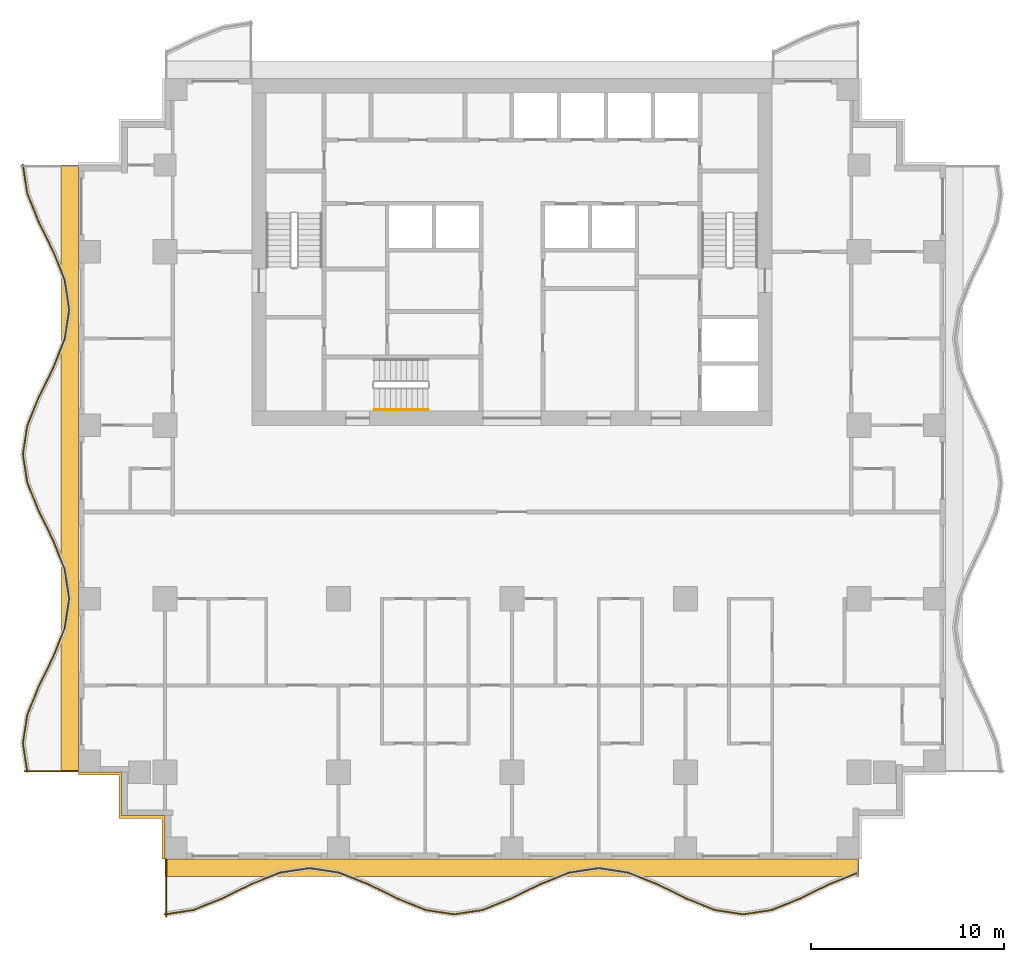
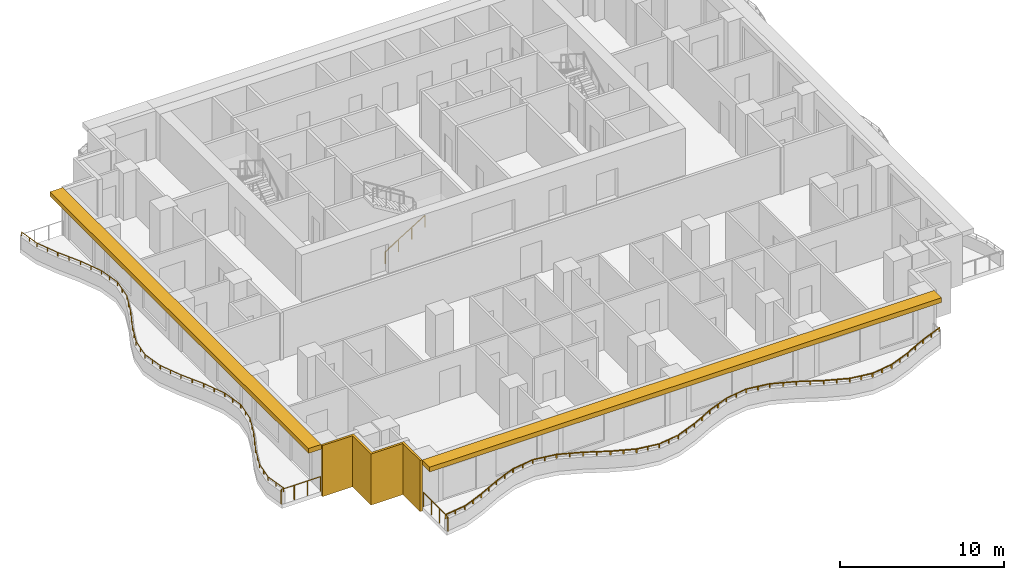
# One storey, part 7 of 10: 5 railings, 3 shading devices.
"""IFC4 building model written with IfcOpenShell, lengths in metres."""

from ifc_helpers import new_model, si_unit, direction, frame, origin, origin_2d, place, context, subcontext, project, spatial, polyline, rectangle, circle, outline, extrude, material, layer, layer_set, type_object, element, save


model = new_model("IFC4")

# Units and contexts
model_context = context("Model", 3, precision=1e-05, world=origin(), true_north=direction((0.0, 1.0)))
body_context = subcontext(model_context, "Body", "Model", "MODEL_VIEW")
ifc_project = project(units=[si_unit("LENGTHUNIT", "METRE"), si_unit("AREAUNIT", "SQUARE_METRE"), si_unit("VOLUMEUNIT", "CUBIC_METRE"), si_unit("PLANEANGLEUNIT", "RADIAN"), si_unit("MASSUNIT", "GRAM", prefix="KILO")], contexts=[model_context])

# Site, building, storey
site_placement = place(None, origin())
site = spatial("IfcSite", under=ifc_project, at=site_placement, CompositionType="ELEMENT")
building_placement = place(site_placement, origin())
building = spatial("IfcBuilding", under=site, at=building_placement, Name="Orbiselva Terraces", CompositionType="ELEMENT")
storey_placement = place(building_placement, frame((0.0, 0.0, 151.6)))
storey = spatial("IfcBuildingStorey", under=building, at=storey_placement, Name="L38", CompositionType="ELEMENT", Elevation=151.6)

# Railings
ifc_material_1 = material(Name="Stainless steel", Category="steel")
railing_type_1 = type_object("IfcRailingType", Name="CORE-HANDRAIL-900", PredefinedType="HANDRAIL", material=ifc_material_1)
railing_1_placement = place(storey_placement, frame((-7.15, 5.3, 0.172727)))
element("IfcRailing", 1, at=railing_1_placement, inside=storey, type_object=railing_type_1, Name="L38 S3 stair handrail 1", PredefinedType="HANDRAIL", context=body_context, shape_type="SweptSolid", body=[
    extrude(circle(Radius=0.024, at=origin_2d()), frame((0.0, 0.0, 0.876), z_axis=(0.851088519012, 0.0, 0.52502222125), x_axis=(0.0, 1.0, 0.0)), (0.0, 0.0, 1.0), 3.289905),
    extrude(circle(Radius=0.021, at=origin_2d()), origin(), (0.0, 0.0, 1.0), 0.852),
    extrude(circle(Radius=0.021, at=origin_2d()), frame((0.933333, 0.0, 0.575758)), (0.0, 0.0, 1.0), 0.852),
    extrude(circle(Radius=0.021, at=origin_2d()), frame((1.866667, 0.0, 1.151515)), (0.0, 0.0, 1.0), 0.852),
    extrude(circle(Radius=0.021, at=origin_2d()), frame((2.8, 0.0, 1.727273)), (0.0, 0.0, 1.0), 0.852),
])
ifc_material_2 = material(Name="Bonded two-ply safety glass balustrade, stainless steel posts", Category="steel")
railing_type_2 = type_object("IfcRailingType", Name="ENV-BALUSTRADE-1200", PredefinedType="BALUSTRADE", material=ifc_material_2)
railing_2_placement = place(storey_placement, frame((-18.018879, -20.876434, 0.9)))
element("IfcRailing", 2, at=railing_2_placement, inside=storey, type_object=railing_type_2, Name="Balcony balustrade L38 S", PredefinedType="BALUSTRADE", context=body_context, shape_type="SweptSolid", body=[
    extrude(outline(polyline([(0.028868, 0.0), (0.014434, 0.025), (-0.014434, 0.025), (-0.028868, 0.0), (-0.014434, -0.025), (0.014434, -0.025), (0.028868, 0.0)])), frame((0.0, 0.0, 0.275), z_axis=(0.988528552748, 0.151034103443, 0.0), x_axis=(-0.151034103443, 0.988528552748, 0.0)), (0.0, 0.0, 1.0), 1.503038),
    extrude(outline(polyline([(0.028868, 0.0), (0.014434, 0.025), (-0.014434, 0.025), (-0.028868, 0.0), (-0.014434, -0.025), (0.014434, -0.025), (0.028868, 0.0)])), frame((1.485796, 0.22701, 0.275), z_axis=(0.928476561272, 0.371391000387, 0.0), x_axis=(-0.371391000387, 0.928476561272, 0.0)), (0.0, 0.0, 1.0), 1.596261),
    extrude(outline(polyline([(0.028868, 0.0), (0.014434, 0.025), (-0.014434, 0.025), (-0.028868, 0.0), (-0.014434, -0.025), (0.014434, -0.025), (0.028868, 0.0)])), frame((2.967887, 0.819847, 0.275), z_axis=(0.896416672454, 0.443212307306, 0.0), x_axis=(-0.443212307306, 0.896416672454, 0.0)), (0.0, 0.0, 1.0), 1.673329),
    extrude(outline(polyline([(0.028868, 0.0), (0.014434, 0.025), (-0.014434, 0.025), (-0.028868, 0.0), (-0.014434, -0.025), (0.014434, -0.025), (0.028868, 0.0)])), frame((4.467887, 1.561487, 0.275), z_axis=(0.92847681744, 0.371390359967, 0.0), x_axis=(-0.371390359967, 0.92847681744, 0.0)), (0.0, 0.0, 1.0), 1.634838),
    extrude(outline(polyline([(0.028868, 0.0), (0.014434, 0.025), (-0.014434, 0.025), (-0.028868, 0.0), (-0.014434, -0.025), (0.014434, -0.025), (0.028868, 0.0)])), frame((5.985796, 2.16865, 0.275), z_axis=(0.988528536275, 0.151034211256, 0.0), x_axis=(-0.151034211256, 0.988528536275, 0.0)), (0.0, 0.0, 1.0), 1.550874),
    extrude(outline(polyline([(0.028868, 0.0), (0.014434, 0.025), (-0.014434, 0.025), (-0.028868, 0.0), (-0.014434, -0.025), (0.014434, -0.025), (0.028868, 0.0)])), frame((7.518879, 2.402885, 0.275), z_axis=(0.988528536275, -0.151034211256, 0.0), x_axis=(0.151034211256, 0.988528536275, 0.0)), (0.0, 0.0, 1.0), 1.550874),
    extrude(outline(polyline([(0.028868, 0.0), (0.014434, 0.025), (-0.014434, 0.025), (-0.028868, 0.0), (-0.014434, -0.025), (0.014434, -0.025), (0.028868, 0.0)])), frame((9.051962, 2.16865, 0.275), z_axis=(0.92847681744, -0.371390359967, 0.0), x_axis=(0.371390359967, 0.92847681744, 0.0)), (0.0, 0.0, 1.0), 1.634838),
    extrude(outline(polyline([(0.028868, 0.0), (0.014434, 0.025), (-0.014434, 0.025), (-0.028868, 0.0), (-0.014434, -0.025), (0.014434, -0.025), (0.028868, 0.0)])), frame((10.569871, 1.561487, 0.275), z_axis=(0.896416672454, -0.443212307306, 0.0), x_axis=(0.443212307306, 0.896416672454, 0.0)), (0.0, 0.0, 1.0), 1.673329),
    extrude(outline(polyline([(0.028868, 0.0), (0.014434, 0.025), (-0.014434, 0.025), (-0.028868, 0.0), (-0.014434, -0.025), (0.014434, -0.025), (0.028868, 0.0)])), frame((12.069871, 0.819847, 0.275), z_axis=(0.928476561272, -0.371391000387, 0.0), x_axis=(0.371391000387, 0.928476561272, 0.0)), (0.0, 0.0, 1.0), 1.596261),
    extrude(outline(polyline([(0.028868, 0.0), (0.014434, 0.025), (-0.014434, 0.025), (-0.028868, 0.0), (-0.014434, -0.025), (0.014434, -0.025), (0.028868, 0.0)])), frame((13.551962, 0.22701, 0.275), z_axis=(0.988528606898, -0.151033749027, 0.0), x_axis=(0.151033749027, 0.988528606898, 0.0)), (0.0, 0.0, 1.0), 1.48394),
    extrude(outline(polyline([(0.028868, 0.0), (0.014434, 0.025), (-0.014434, 0.025), (-0.028868, 0.0), (-0.014434, -0.025), (0.014434, -0.025), (0.028868, 0.0)])), frame((15.018879, 0.002885, 0.275), z_axis=(0.988528606898, 0.151033749027, 0.0), x_axis=(-0.151033749027, 0.988528606898, 0.0)), (0.0, 0.0, 1.0), 1.48394),
    extrude(outline(polyline([(0.028868, 0.0), (0.014434, 0.025), (-0.014434, 0.025), (-0.028868, 0.0), (-0.014434, -0.025), (0.014434, -0.025), (0.028868, 0.0)])), frame((16.485796, 0.22701, 0.275), z_axis=(0.928476561272, 0.371391000387, 0.0), x_axis=(-0.371391000387, 0.928476561272, 0.0)), (0.0, 0.0, 1.0), 1.596261),
    extrude(outline(polyline([(0.028868, 0.0), (0.014434, 0.025), (-0.014434, 0.025), (-0.028868, 0.0), (-0.014434, -0.025), (0.014434, -0.025), (0.028868, 0.0)])), frame((17.967887, 0.819847, 0.275), z_axis=(0.896416672454, 0.443212307306, 0.0), x_axis=(-0.443212307306, 0.896416672454, 0.0)), (0.0, 0.0, 1.0), 1.673329),
    extrude(outline(polyline([(0.028868, 0.0), (0.014434, 0.025), (-0.014434, 0.025), (-0.028868, 0.0), (-0.014434, -0.025), (0.014434, -0.025), (0.028868, 0.0)])), frame((19.467887, 1.561487, 0.275), z_axis=(0.92847681744, 0.371390359967, 0.0), x_axis=(-0.371390359967, 0.92847681744, 0.0)), (0.0, 0.0, 1.0), 1.634838),
    extrude(outline(polyline([(0.028868, 0.0), (0.014434, 0.025), (-0.014434, 0.025), (-0.028868, 0.0), (-0.014434, -0.025), (0.014434, -0.025), (0.028868, 0.0)])), frame((20.985796, 2.16865, 0.275), z_axis=(0.988528536275, 0.151034211256, 0.0), x_axis=(-0.151034211256, 0.988528536275, 0.0)), (0.0, 0.0, 1.0), 1.550874),
    extrude(outline(polyline([(0.028868, 0.0), (0.014434, 0.025), (-0.014434, 0.025), (-0.028868, 0.0), (-0.014434, -0.025), (0.014434, -0.025), (0.028868, 0.0)])), frame((22.518879, 2.402885, 0.275), z_axis=(0.988528536275, -0.151034211256, 0.0), x_axis=(0.151034211256, 0.988528536275, 0.0)), (0.0, 0.0, 1.0), 1.550874),
    extrude(outline(polyline([(0.028868, 0.0), (0.014434, 0.025), (-0.014434, 0.025), (-0.028868, 0.0), (-0.014434, -0.025), (0.014434, -0.025), (0.028868, 0.0)])), frame((24.051962, 2.16865, 0.275), z_axis=(0.92847681744, -0.371390359967, 0.0), x_axis=(0.371390359967, 0.92847681744, 0.0)), (0.0, 0.0, 1.0), 1.634838),
    extrude(outline(polyline([(0.028868, 0.0), (0.014434, 0.025), (-0.014434, 0.025), (-0.028868, 0.0), (-0.014434, -0.025), (0.014434, -0.025), (0.028868, 0.0)])), frame((25.569871, 1.561487, 0.275), z_axis=(0.896416672454, -0.443212307306, 0.0), x_axis=(0.443212307306, 0.896416672454, 0.0)), (0.0, 0.0, 1.0), 1.673329),
    extrude(outline(polyline([(0.028868, 0.0), (0.014434, 0.025), (-0.014434, 0.025), (-0.028868, 0.0), (-0.014434, -0.025), (0.014434, -0.025), (0.028868, 0.0)])), frame((27.069871, 0.819847, 0.275), z_axis=(0.928476561272, -0.371391000387, 0.0), x_axis=(0.371391000387, 0.928476561272, 0.0)), (0.0, 0.0, 1.0), 1.596261),
    extrude(outline(polyline([(0.028868, 0.0), (0.014434, 0.025), (-0.014434, 0.025), (-0.028868, 0.0), (-0.014434, -0.025), (0.014434, -0.025), (0.028868, 0.0)])), frame((28.551962, 0.22701, 0.275), z_axis=(0.988528606898, -0.151033749027, 0.0), x_axis=(0.151033749027, 0.988528606898, 0.0)), (0.0, 0.0, 1.0), 1.48394),
    extrude(outline(polyline([(0.028868, 0.0), (0.014434, 0.025), (-0.014434, 0.025), (-0.028868, 0.0), (-0.014434, -0.025), (0.014434, -0.025), (0.028868, 0.0)])), frame((30.018879, 0.002885, 0.275), z_axis=(0.988528606898, 0.151033749027, 0.0), x_axis=(-0.151033749027, 0.988528606898, 0.0)), (0.0, 0.0, 1.0), 1.48394),
    extrude(outline(polyline([(0.028868, 0.0), (0.014434, 0.025), (-0.014434, 0.025), (-0.028868, 0.0), (-0.014434, -0.025), (0.014434, -0.025), (0.028868, 0.0)])), frame((31.485796, 0.22701, 0.275), z_axis=(0.928476561272, 0.371391000387, 0.0), x_axis=(-0.371391000387, 0.928476561272, 0.0)), (0.0, 0.0, 1.0), 1.596261),
    extrude(outline(polyline([(0.028868, 0.0), (0.014434, 0.025), (-0.014434, 0.025), (-0.028868, 0.0), (-0.014434, -0.025), (0.014434, -0.025), (0.028868, 0.0)])), frame((32.967887, 0.819847, 0.275), z_axis=(0.896416672454, 0.443212307306, 0.0), x_axis=(-0.443212307306, 0.896416672454, 0.0)), (0.0, 0.0, 1.0), 1.673329),
    extrude(outline(polyline([(0.028868, 0.0), (0.014434, 0.025), (-0.014434, 0.025), (-0.028868, 0.0), (-0.014434, -0.025), (0.014434, -0.025), (0.028868, 0.0)])), frame((34.467887, 1.561487, 0.275), z_axis=(0.928476733444, 0.371390569957, 0.0), x_axis=(-0.371390569957, 0.928476733444, 0.0)), (0.0, 0.0, 1.0), 1.620469),
    extrude(rectangle(XDim=0.05, YDim=0.05, at=origin_2d()), origin(), (0.0, 0.0, 1.0), 0.25),
    extrude(rectangle(XDim=0.05, YDim=0.05, at=origin_2d()), frame((0.742898, 0.113505, 0.0)), (0.0, 0.0, 1.0), 0.25),
    extrude(rectangle(XDim=0.05, YDim=0.05, at=origin_2d()), frame((1.485796, 0.22701, 0.0)), (0.0, 0.0, 1.0), 0.25),
    extrude(rectangle(XDim=0.05, YDim=0.05, at=origin_2d()), frame((2.226841, 0.523428, 0.0)), (0.0, 0.0, 1.0), 0.25),
    extrude(rectangle(XDim=0.05, YDim=0.05, at=origin_2d()), frame((2.967887, 0.819847, 0.0)), (0.0, 0.0, 1.0), 0.25),
    extrude(rectangle(XDim=0.05, YDim=0.05, at=origin_2d()), frame((3.717887, 1.190667, 0.0)), (0.0, 0.0, 1.0), 0.25),
    extrude(rectangle(XDim=0.05, YDim=0.05, at=origin_2d()), frame((4.467887, 1.561487, 0.0)), (0.0, 0.0, 1.0), 0.25),
    extrude(rectangle(XDim=0.05, YDim=0.05, at=origin_2d()), frame((5.226841, 1.865068, 0.0)), (0.0, 0.0, 1.0), 0.25),
    extrude(rectangle(XDim=0.05, YDim=0.05, at=origin_2d()), frame((5.985796, 2.16865, 0.0)), (0.0, 0.0, 1.0), 0.25),
    extrude(rectangle(XDim=0.05, YDim=0.05, at=origin_2d()), frame((6.752337, 2.285768, 0.0)), (0.0, 0.0, 1.0), 0.25),
    extrude(rectangle(XDim=0.05, YDim=0.05, at=origin_2d()), frame((7.518879, 2.402885, 0.0)), (0.0, 0.0, 1.0), 0.25),
    extrude(rectangle(XDim=0.05, YDim=0.05, at=origin_2d()), frame((8.28542, 2.285768, 0.0)), (0.0, 0.0, 1.0), 0.25),
    extrude(rectangle(XDim=0.05, YDim=0.05, at=origin_2d()), frame((9.051962, 2.16865, 0.0)), (0.0, 0.0, 1.0), 0.25),
    extrude(rectangle(XDim=0.05, YDim=0.05, at=origin_2d()), frame((9.810916, 1.865068, 0.0)), (0.0, 0.0, 1.0), 0.25),
    extrude(rectangle(XDim=0.05, YDim=0.05, at=origin_2d()), frame((10.569871, 1.561487, 0.0)), (0.0, 0.0, 1.0), 0.25),
    extrude(rectangle(XDim=0.05, YDim=0.05, at=origin_2d()), frame((11.319871, 1.190667, 0.0)), (0.0, 0.0, 1.0), 0.25),
    extrude(rectangle(XDim=0.05, YDim=0.05, at=origin_2d()), frame((12.069871, 0.819847, 0.0)), (0.0, 0.0, 1.0), 0.25),
    extrude(rectangle(XDim=0.05, YDim=0.05, at=origin_2d()), frame((12.810916, 0.523428, 0.0)), (0.0, 0.0, 1.0), 0.25),
    extrude(rectangle(XDim=0.05, YDim=0.05, at=origin_2d()), frame((13.551962, 0.22701, 0.0)), (0.0, 0.0, 1.0), 0.25),
    extrude(rectangle(XDim=0.05, YDim=0.05, at=origin_2d()), frame((14.28542, 0.114947, 0.0)), (0.0, 0.0, 1.0), 0.25),
    extrude(rectangle(XDim=0.05, YDim=0.05, at=origin_2d()), frame((15.018879, 0.002885, 0.0)), (0.0, 0.0, 1.0), 0.25),
    extrude(rectangle(XDim=0.05, YDim=0.05, at=origin_2d()), frame((15.752337, 0.114947, 0.0)), (0.0, 0.0, 1.0), 0.25),
    extrude(rectangle(XDim=0.05, YDim=0.05, at=origin_2d()), frame((16.485796, 0.22701, 0.0)), (0.0, 0.0, 1.0), 0.25),
    extrude(rectangle(XDim=0.05, YDim=0.05, at=origin_2d()), frame((17.226842, 0.523428, 0.0)), (0.0, 0.0, 1.0), 0.25),
    extrude(rectangle(XDim=0.05, YDim=0.05, at=origin_2d()), frame((17.967887, 0.819847, 0.0)), (0.0, 0.0, 1.0), 0.25),
    extrude(rectangle(XDim=0.05, YDim=0.05, at=origin_2d()), frame((18.717887, 1.190667, 0.0)), (0.0, 0.0, 1.0), 0.25),
    extrude(rectangle(XDim=0.05, YDim=0.05, at=origin_2d()), frame((19.467887, 1.561487, 0.0)), (0.0, 0.0, 1.0), 0.25),
    extrude(rectangle(XDim=0.05, YDim=0.05, at=origin_2d()), frame((20.226842, 1.865068, 0.0)), (0.0, 0.0, 1.0), 0.25),
    extrude(rectangle(XDim=0.05, YDim=0.05, at=origin_2d()), frame((20.985796, 2.16865, 0.0)), (0.0, 0.0, 1.0), 0.25),
    extrude(rectangle(XDim=0.05, YDim=0.05, at=origin_2d()), frame((21.752337, 2.285768, 0.0)), (0.0, 0.0, 1.0), 0.25),
    extrude(rectangle(XDim=0.05, YDim=0.05, at=origin_2d()), frame((22.518879, 2.402885, 0.0)), (0.0, 0.0, 1.0), 0.25),
    extrude(rectangle(XDim=0.05, YDim=0.05, at=origin_2d()), frame((23.28542, 2.285768, 0.0)), (0.0, 0.0, 1.0), 0.25),
    extrude(rectangle(XDim=0.05, YDim=0.05, at=origin_2d()), frame((24.051962, 2.16865, 0.0)), (0.0, 0.0, 1.0), 0.25),
    extrude(rectangle(XDim=0.05, YDim=0.05, at=origin_2d()), frame((24.810916, 1.865068, 0.0)), (0.0, 0.0, 1.0), 0.25),
    extrude(rectangle(XDim=0.05, YDim=0.05, at=origin_2d()), frame((25.569871, 1.561487, 0.0)), (0.0, 0.0, 1.0), 0.25),
    extrude(rectangle(XDim=0.05, YDim=0.05, at=origin_2d()), frame((26.319871, 1.190667, 0.0)), (0.0, 0.0, 1.0), 0.25),
    extrude(rectangle(XDim=0.05, YDim=0.05, at=origin_2d()), frame((27.069871, 0.819847, 0.0)), (0.0, 0.0, 1.0), 0.25),
    extrude(rectangle(XDim=0.05, YDim=0.05, at=origin_2d()), frame((27.810916, 0.523428, 0.0)), (0.0, 0.0, 1.0), 0.25),
    extrude(rectangle(XDim=0.05, YDim=0.05, at=origin_2d()), frame((28.551962, 0.22701, 0.0)), (0.0, 0.0, 1.0), 0.25),
    extrude(rectangle(XDim=0.05, YDim=0.05, at=origin_2d()), frame((29.28542, 0.114947, 0.0)), (0.0, 0.0, 1.0), 0.25),
    extrude(rectangle(XDim=0.05, YDim=0.05, at=origin_2d()), frame((30.018879, 0.002885, 0.0)), (0.0, 0.0, 1.0), 0.25),
    extrude(rectangle(XDim=0.05, YDim=0.05, at=origin_2d()), frame((30.752338, 0.114947, 0.0)), (0.0, 0.0, 1.0), 0.25),
    extrude(rectangle(XDim=0.05, YDim=0.05, at=origin_2d()), frame((31.485796, 0.22701, 0.0)), (0.0, 0.0, 1.0), 0.25),
    extrude(rectangle(XDim=0.05, YDim=0.05, at=origin_2d()), frame((32.226842, 0.523428, 0.0)), (0.0, 0.0, 1.0), 0.25),
    extrude(rectangle(XDim=0.05, YDim=0.05, at=origin_2d()), frame((32.967887, 0.819847, 0.0)), (0.0, 0.0, 1.0), 0.25),
    extrude(rectangle(XDim=0.05, YDim=0.05, at=origin_2d()), frame((33.717887, 1.190667, 0.0)), (0.0, 0.0, 1.0), 0.25),
    extrude(rectangle(XDim=0.05, YDim=0.05, at=origin_2d()), frame((34.467887, 1.561487, 0.0)), (0.0, 0.0, 1.0), 0.25),
    extrude(rectangle(XDim=0.05, YDim=0.05, at=origin_2d()), frame((35.220171, 1.8624, 0.0)), (0.0, 0.0, 1.0), 0.25),
    extrude(rectangle(XDim=0.05, YDim=0.05, at=origin_2d()), frame((35.972455, 2.163314, 0.0)), (0.0, 0.0, 1.0), 0.25),
])
railing_3_placement = place(storey_placement, frame((-25.376434, 18.018879, 0.9)))
element("IfcRailing", 3, at=railing_3_placement, inside=storey, type_object=railing_type_2, Name="Balcony balustrade L38 W", PredefinedType="BALUSTRADE", context=body_context, shape_type="SweptSolid", body=[
    extrude(outline(polyline([(0.028868, 0.0), (0.014434, 0.025), (-0.014434, 0.025), (-0.028868, 0.0), (-0.014434, -0.025), (0.014434, -0.025), (0.028868, 0.0)])), frame((0.0, 0.0, 0.275), z_axis=(0.151034103443, -0.988528552748, 0.0), x_axis=(0.988528552748, 0.151034103443, 0.0)), (0.0, 0.0, 1.0), 1.503038),
    extrude(outline(polyline([(0.028868, 0.0), (0.014434, 0.025), (-0.014434, 0.025), (-0.028868, 0.0), (-0.014434, -0.025), (0.014434, -0.025), (0.028868, 0.0)])), frame((0.22701, -1.485796, 0.275), z_axis=(0.371391000387, -0.928476561272, 0.0), x_axis=(0.928476561272, 0.371391000387, 0.0)), (0.0, 0.0, 1.0), 1.596261),
    extrude(outline(polyline([(0.028868, 0.0), (0.014434, 0.025), (-0.014434, 0.025), (-0.028868, 0.0), (-0.014434, -0.025), (0.014434, -0.025), (0.028868, 0.0)])), frame((0.819847, -2.967887, 0.275), z_axis=(0.443212307306, -0.896416672454, 0.0), x_axis=(0.896416672454, 0.443212307306, 0.0)), (0.0, 0.0, 1.0), 1.673329),
    extrude(outline(polyline([(0.028868, 0.0), (0.014434, 0.025), (-0.014434, 0.025), (-0.028868, 0.0), (-0.014434, -0.025), (0.014434, -0.025), (0.028868, 0.0)])), frame((1.561487, -4.467887, 0.275), z_axis=(0.371390359967, -0.92847681744, 0.0), x_axis=(0.92847681744, 0.371390359967, 0.0)), (0.0, 0.0, 1.0), 1.634838),
    extrude(outline(polyline([(0.028868, 0.0), (0.014434, 0.025), (-0.014434, 0.025), (-0.028868, 0.0), (-0.014434, -0.025), (0.014434, -0.025), (0.028868, 0.0)])), frame((2.16865, -5.985796, 0.275), z_axis=(0.151034211256, -0.988528536275, 0.0), x_axis=(0.988528536275, 0.151034211256, 0.0)), (0.0, 0.0, 1.0), 1.550874),
    extrude(outline(polyline([(0.028868, 0.0), (0.014434, 0.025), (-0.014434, 0.025), (-0.028868, 0.0), (-0.014434, -0.025), (0.014434, -0.025), (0.028868, 0.0)])), frame((2.402885, -7.518879, 0.275), z_axis=(-0.151034211256, -0.988528536275, 0.0), x_axis=(0.988528536275, -0.151034211256, 0.0)), (0.0, 0.0, 1.0), 1.550874),
    extrude(outline(polyline([(0.028868, 0.0), (0.014434, 0.025), (-0.014434, 0.025), (-0.028868, 0.0), (-0.014434, -0.025), (0.014434, -0.025), (0.028868, 0.0)])), frame((2.16865, -9.051962, 0.275), z_axis=(-0.371390359967, -0.92847681744, 0.0), x_axis=(0.92847681744, -0.371390359967, 0.0)), (0.0, 0.0, 1.0), 1.634838),
    extrude(outline(polyline([(0.028868, 0.0), (0.014434, 0.025), (-0.014434, 0.025), (-0.028868, 0.0), (-0.014434, -0.025), (0.014434, -0.025), (0.028868, 0.0)])), frame((1.561487, -10.569871, 0.275), z_axis=(-0.443212307306, -0.896416672454, 0.0), x_axis=(0.896416672454, -0.443212307306, 0.0)), (0.0, 0.0, 1.0), 1.673329),
    extrude(outline(polyline([(0.028868, 0.0), (0.014434, 0.025), (-0.014434, 0.025), (-0.028868, 0.0), (-0.014434, -0.025), (0.014434, -0.025), (0.028868, 0.0)])), frame((0.819847, -12.069871, 0.275), z_axis=(-0.371391000387, -0.928476561272, 0.0), x_axis=(0.928476561272, -0.371391000387, 0.0)), (0.0, 0.0, 1.0), 1.596261),
    extrude(outline(polyline([(0.028868, 0.0), (0.014434, 0.025), (-0.014434, 0.025), (-0.028868, 0.0), (-0.014434, -0.025), (0.014434, -0.025), (0.028868, 0.0)])), frame((0.22701, -13.551962, 0.275), z_axis=(-0.151033749027, -0.988528606898, 0.0), x_axis=(0.988528606898, -0.151033749027, 0.0)), (0.0, 0.0, 1.0), 1.48394),
    extrude(outline(polyline([(0.028868, 0.0), (0.014434, 0.025), (-0.014434, 0.025), (-0.028868, 0.0), (-0.014434, -0.025), (0.014434, -0.025), (0.028868, 0.0)])), frame((0.002885, -15.018879, 0.275), z_axis=(0.151033749027, -0.988528606898, 0.0), x_axis=(0.988528606898, 0.151033749027, 0.0)), (0.0, 0.0, 1.0), 1.48394),
    extrude(outline(polyline([(0.028868, 0.0), (0.014434, 0.025), (-0.014434, 0.025), (-0.028868, 0.0), (-0.014434, -0.025), (0.014434, -0.025), (0.028868, 0.0)])), frame((0.22701, -16.485796, 0.275), z_axis=(0.371391000387, -0.928476561272, 0.0), x_axis=(0.928476561272, 0.371391000387, 0.0)), (0.0, 0.0, 1.0), 1.596261),
    extrude(outline(polyline([(0.028868, 0.0), (0.014434, 0.025), (-0.014434, 0.025), (-0.028868, 0.0), (-0.014434, -0.025), (0.014434, -0.025), (0.028868, 0.0)])), frame((0.819847, -17.967887, 0.275), z_axis=(0.443212307306, -0.896416672454, 0.0), x_axis=(0.896416672454, 0.443212307306, 0.0)), (0.0, 0.0, 1.0), 1.673329),
    extrude(outline(polyline([(0.028868, 0.0), (0.014434, 0.025), (-0.014434, 0.025), (-0.028868, 0.0), (-0.014434, -0.025), (0.014434, -0.025), (0.028868, 0.0)])), frame((1.561487, -19.467887, 0.275), z_axis=(0.371390359967, -0.92847681744, 0.0), x_axis=(0.92847681744, 0.371390359967, 0.0)), (0.0, 0.0, 1.0), 1.634838),
    extrude(outline(polyline([(0.028868, 0.0), (0.014434, 0.025), (-0.014434, 0.025), (-0.028868, 0.0), (-0.014434, -0.025), (0.014434, -0.025), (0.028868, 0.0)])), frame((2.16865, -20.985796, 0.275), z_axis=(0.151034211256, -0.988528536275, 0.0), x_axis=(0.988528536275, 0.151034211256, 0.0)), (0.0, 0.0, 1.0), 1.550874),
    extrude(outline(polyline([(0.028868, 0.0), (0.014434, 0.025), (-0.014434, 0.025), (-0.028868, 0.0), (-0.014434, -0.025), (0.014434, -0.025), (0.028868, 0.0)])), frame((2.402885, -22.518879, 0.275), z_axis=(-0.151034211256, -0.988528536275, 0.0), x_axis=(0.988528536275, -0.151034211256, 0.0)), (0.0, 0.0, 1.0), 1.550874),
    extrude(outline(polyline([(0.028868, 0.0), (0.014434, 0.025), (-0.014434, 0.025), (-0.028868, 0.0), (-0.014434, -0.025), (0.014434, -0.025), (0.028868, 0.0)])), frame((2.16865, -24.051962, 0.275), z_axis=(-0.371390359967, -0.92847681744, 0.0), x_axis=(0.92847681744, -0.371390359967, 0.0)), (0.0, 0.0, 1.0), 1.634838),
    extrude(outline(polyline([(0.028868, 0.0), (0.014434, 0.025), (-0.014434, 0.025), (-0.028868, 0.0), (-0.014434, -0.025), (0.014434, -0.025), (0.028868, 0.0)])), frame((1.561487, -25.569871, 0.275), z_axis=(-0.443212307306, -0.896416672454, 0.0), x_axis=(0.896416672454, -0.443212307306, 0.0)), (0.0, 0.0, 1.0), 1.673329),
    extrude(outline(polyline([(0.028868, 0.0), (0.014434, 0.025), (-0.014434, 0.025), (-0.028868, 0.0), (-0.014434, -0.025), (0.014434, -0.025), (0.028868, 0.0)])), frame((0.819847, -27.069871, 0.275), z_axis=(-0.371391000387, -0.928476561272, 0.0), x_axis=(0.928476561272, -0.371391000387, 0.0)), (0.0, 0.0, 1.0), 1.596261),
    extrude(outline(polyline([(0.028868, 0.0), (0.014434, 0.025), (-0.014434, 0.025), (-0.028868, 0.0), (-0.014434, -0.025), (0.014434, -0.025), (0.028868, 0.0)])), frame((0.22701, -28.551962, 0.275), z_axis=(-0.151033749027, -0.988528606898, 0.0), x_axis=(0.988528606898, -0.151033749027, 0.0)), (0.0, 0.0, 1.0), 1.48394),
    extrude(outline(polyline([(0.028868, 0.0), (0.014434, 0.025), (-0.014434, 0.025), (-0.028868, 0.0), (-0.014434, -0.025), (0.014434, -0.025), (0.028868, 0.0)])), frame((0.002885, -30.018879, 0.275), z_axis=(0.151033632714, -0.988528624669, 0.0), x_axis=(0.988528624669, 0.151033632714, 0.0)), (0.0, 0.0, 1.0), 1.498309),
    extrude(rectangle(XDim=0.05, YDim=0.05, at=origin_2d()), origin(), (0.0, 0.0, 1.0), 0.25),
    extrude(rectangle(XDim=0.05, YDim=0.05, at=origin_2d()), frame((0.113505, -0.742898, 0.0)), (0.0, 0.0, 1.0), 0.25),
    extrude(rectangle(XDim=0.05, YDim=0.05, at=origin_2d()), frame((0.22701, -1.485796, 0.0)), (0.0, 0.0, 1.0), 0.25),
    extrude(rectangle(XDim=0.05, YDim=0.05, at=origin_2d()), frame((0.523428, -2.226841, 0.0)), (0.0, 0.0, 1.0), 0.25),
    extrude(rectangle(XDim=0.05, YDim=0.05, at=origin_2d()), frame((0.819847, -2.967887, 0.0)), (0.0, 0.0, 1.0), 0.25),
    extrude(rectangle(XDim=0.05, YDim=0.05, at=origin_2d()), frame((1.190667, -3.717887, 0.0)), (0.0, 0.0, 1.0), 0.25),
    extrude(rectangle(XDim=0.05, YDim=0.05, at=origin_2d()), frame((1.561487, -4.467887, 0.0)), (0.0, 0.0, 1.0), 0.25),
    extrude(rectangle(XDim=0.05, YDim=0.05, at=origin_2d()), frame((1.865068, -5.226841, 0.0)), (0.0, 0.0, 1.0), 0.25),
    extrude(rectangle(XDim=0.05, YDim=0.05, at=origin_2d()), frame((2.16865, -5.985796, 0.0)), (0.0, 0.0, 1.0), 0.25),
    extrude(rectangle(XDim=0.05, YDim=0.05, at=origin_2d()), frame((2.285768, -6.752337, 0.0)), (0.0, 0.0, 1.0), 0.25),
    extrude(rectangle(XDim=0.05, YDim=0.05, at=origin_2d()), frame((2.402885, -7.518879, 0.0)), (0.0, 0.0, 1.0), 0.25),
    extrude(rectangle(XDim=0.05, YDim=0.05, at=origin_2d()), frame((2.285768, -8.28542, 0.0)), (0.0, 0.0, 1.0), 0.25),
    extrude(rectangle(XDim=0.05, YDim=0.05, at=origin_2d()), frame((2.16865, -9.051962, 0.0)), (0.0, 0.0, 1.0), 0.25),
    extrude(rectangle(XDim=0.05, YDim=0.05, at=origin_2d()), frame((1.865068, -9.810916, 0.0)), (0.0, 0.0, 1.0), 0.25),
    extrude(rectangle(XDim=0.05, YDim=0.05, at=origin_2d()), frame((1.561487, -10.569871, 0.0)), (0.0, 0.0, 1.0), 0.25),
    extrude(rectangle(XDim=0.05, YDim=0.05, at=origin_2d()), frame((1.190667, -11.319871, 0.0)), (0.0, 0.0, 1.0), 0.25),
    extrude(rectangle(XDim=0.05, YDim=0.05, at=origin_2d()), frame((0.819847, -12.069871, 0.0)), (0.0, 0.0, 1.0), 0.25),
    extrude(rectangle(XDim=0.05, YDim=0.05, at=origin_2d()), frame((0.523428, -12.810916, 0.0)), (0.0, 0.0, 1.0), 0.25),
    extrude(rectangle(XDim=0.05, YDim=0.05, at=origin_2d()), frame((0.22701, -13.551962, 0.0)), (0.0, 0.0, 1.0), 0.25),
    extrude(rectangle(XDim=0.05, YDim=0.05, at=origin_2d()), frame((0.114947, -14.28542, 0.0)), (0.0, 0.0, 1.0), 0.25),
    extrude(rectangle(XDim=0.05, YDim=0.05, at=origin_2d()), frame((0.002885, -15.018879, 0.0)), (0.0, 0.0, 1.0), 0.25),
    extrude(rectangle(XDim=0.05, YDim=0.05, at=origin_2d()), frame((0.114947, -15.752337, 0.0)), (0.0, 0.0, 1.0), 0.25),
    extrude(rectangle(XDim=0.05, YDim=0.05, at=origin_2d()), frame((0.22701, -16.485796, 0.0)), (0.0, 0.0, 1.0), 0.25),
    extrude(rectangle(XDim=0.05, YDim=0.05, at=origin_2d()), frame((0.523428, -17.226842, 0.0)), (0.0, 0.0, 1.0), 0.25),
    extrude(rectangle(XDim=0.05, YDim=0.05, at=origin_2d()), frame((0.819847, -17.967887, 0.0)), (0.0, 0.0, 1.0), 0.25),
    extrude(rectangle(XDim=0.05, YDim=0.05, at=origin_2d()), frame((1.190667, -18.717887, 0.0)), (0.0, 0.0, 1.0), 0.25),
    extrude(rectangle(XDim=0.05, YDim=0.05, at=origin_2d()), frame((1.561487, -19.467887, 0.0)), (0.0, 0.0, 1.0), 0.25),
    extrude(rectangle(XDim=0.05, YDim=0.05, at=origin_2d()), frame((1.865068, -20.226842, 0.0)), (0.0, 0.0, 1.0), 0.25),
    extrude(rectangle(XDim=0.05, YDim=0.05, at=origin_2d()), frame((2.16865, -20.985796, 0.0)), (0.0, 0.0, 1.0), 0.25),
    extrude(rectangle(XDim=0.05, YDim=0.05, at=origin_2d()), frame((2.285768, -21.752337, 0.0)), (0.0, 0.0, 1.0), 0.25),
    extrude(rectangle(XDim=0.05, YDim=0.05, at=origin_2d()), frame((2.402885, -22.518879, 0.0)), (0.0, 0.0, 1.0), 0.25),
    extrude(rectangle(XDim=0.05, YDim=0.05, at=origin_2d()), frame((2.285768, -23.28542, 0.0)), (0.0, 0.0, 1.0), 0.25),
    extrude(rectangle(XDim=0.05, YDim=0.05, at=origin_2d()), frame((2.16865, -24.051962, 0.0)), (0.0, 0.0, 1.0), 0.25),
    extrude(rectangle(XDim=0.05, YDim=0.05, at=origin_2d()), frame((1.865068, -24.810916, 0.0)), (0.0, 0.0, 1.0), 0.25),
    extrude(rectangle(XDim=0.05, YDim=0.05, at=origin_2d()), frame((1.561487, -25.569871, 0.0)), (0.0, 0.0, 1.0), 0.25),
    extrude(rectangle(XDim=0.05, YDim=0.05, at=origin_2d()), frame((1.190667, -26.319871, 0.0)), (0.0, 0.0, 1.0), 0.25),
    extrude(rectangle(XDim=0.05, YDim=0.05, at=origin_2d()), frame((0.819847, -27.069871, 0.0)), (0.0, 0.0, 1.0), 0.25),
    extrude(rectangle(XDim=0.05, YDim=0.05, at=origin_2d()), frame((0.523428, -27.810916, 0.0)), (0.0, 0.0, 1.0), 0.25),
    extrude(rectangle(XDim=0.05, YDim=0.05, at=origin_2d()), frame((0.22701, -28.551962, 0.0)), (0.0, 0.0, 1.0), 0.25),
    extrude(rectangle(XDim=0.05, YDim=0.05, at=origin_2d()), frame((0.114947, -29.28542, 0.0)), (0.0, 0.0, 1.0), 0.25),
    extrude(rectangle(XDim=0.05, YDim=0.05, at=origin_2d()), frame((0.002885, -30.018879, 0.0)), (0.0, 0.0, 1.0), 0.25),
    extrude(rectangle(XDim=0.05, YDim=0.05, at=origin_2d()), frame((0.116032, -30.75944, 0.0)), (0.0, 0.0, 1.0), 0.25),
    extrude(rectangle(XDim=0.05, YDim=0.05, at=origin_2d()), frame((0.22918, -31.5, 0.0)), (0.0, 0.0, 1.0), 0.25),
])
ifc_material_3 = material(Name="Stainless steel rail and posts", Category="steel")
railing_type_3 = type_object("IfcRailingType", Name="ENV-GUARD-1105", PredefinedType="BALUSTRADE", material=ifc_material_3)
railing_4_placement = place(storey_placement, frame((-17.94, -20.999621, 0.0)))
element("IfcRailing", 4, at=railing_4_placement, inside=storey, type_object=railing_type_3, Name="Balcony end guard L38 S", PredefinedType="BALUSTRADE", context=body_context, shape_type="SweptSolid", body=[
    extrude(outline(polyline([(0.028868, 0.0), (0.014434, 0.025), (-0.014434, 0.025), (-0.028868, 0.0), (-0.014434, -0.025), (0.014434, -0.025), (0.028868, 0.0)])), frame((0.0, 0.0, 1.08), z_axis=(0.0, 1.0, 0.0), x_axis=(-1.0, 0.0, 0.0)), (0.0, 0.0, 1.0), 2.974621),
    extrude(rectangle(XDim=0.05, YDim=0.05, at=origin_2d()), origin(), (0.0, 0.0, 1.0), 1.055),
    extrude(rectangle(XDim=0.05, YDim=0.05, at=origin_2d()), frame((0.0, 0.99154, 0.0)), (0.0, 0.0, 1.0), 1.055),
    extrude(rectangle(XDim=0.05, YDim=0.05, at=origin_2d()), frame((0.0, 1.983081, 0.0)), (0.0, 0.0, 1.0), 1.055),
    extrude(rectangle(XDim=0.05, YDim=0.05, at=origin_2d()), frame((0.0, 2.974621, 0.0)), (0.0, 0.0, 1.0), 1.055),
])
railing_5_placement = place(storey_placement, frame((-25.288239, -13.44, 0.0)))
element("IfcRailing", 5, at=railing_5_placement, inside=storey, type_object=railing_type_3, Name="Balcony end guard L38 W", PredefinedType="BALUSTRADE", context=body_context, shape_type="SweptSolid", body=[
    extrude(outline(polyline([(0.028868, 0.0), (0.014434, 0.025), (-0.014434, 0.025), (-0.028868, 0.0), (-0.014434, -0.025), (0.014434, -0.025), (0.028868, 0.0)])), frame((0.0, 0.0, 1.08), z_axis=(1.0, 0.0, 0.0), x_axis=(0.0, 1.0, 0.0)), (0.0, 0.0, 1.0), 2.763239),
    extrude(rectangle(XDim=0.05, YDim=0.05, at=origin_2d()), origin(), (0.0, 0.0, 1.0), 1.055),
    extrude(rectangle(XDim=0.05, YDim=0.05, at=origin_2d()), frame((0.92108, 0.0, 0.0)), (0.0, 0.0, 1.0), 1.055),
    extrude(rectangle(XDim=0.05, YDim=0.05, at=origin_2d()), frame((1.842159, 0.0, 0.0)), (0.0, 0.0, 1.0), 1.055),
    extrude(rectangle(XDim=0.05, YDim=0.05, at=origin_2d()), frame((2.763239, 0.0, 0.0)), (0.0, 0.0, 1.0), 1.055),
])

# Shading devices
ifc_material_4 = material(Name="Terracotta louvre screen", Category="masonry")
ifc_layer_1 = layer(ifc_material_4, 0.15)
ifc_layer_set_1 = layer_set([ifc_layer_1], Name="Terracotta louvre screen")
shading_device_type_1 = type_object("IfcShadingDeviceType", Name="ENV-SCREEN-150", PredefinedType="USERDEFINED", material=ifc_layer_set_1)
shading_device_1_placement = place(storey_placement, frame((0.0, 0.0, -0.3)))
element("IfcShadingDevice", 6, at=shading_device_1_placement, inside=storey, type_object=shading_device_type_1, Name="Louvre screen L38 SW", ObjectType="SCREEN", PredefinedType="USERDEFINED", context=body_context, shape_type="SweptSolid", body=[
    extrude(outline(polyline([(-22.5, -13.65), (-20.4, -13.65), (-20.4, -15.9), (-18.15, -15.9), (-18.15, -18.0), (-18.0, -18.0), (-18.0, -15.75), (-20.25, -15.75), (-20.25, -13.5), (-22.5, -13.5), (-22.5, -13.65)])), origin(), (0.0, 0.0, 1.0), 3.8),
])
ifc_material_5 = material(Name="Terracotta baguette sunshade", Category="masonry")
ifc_layer_2 = layer(ifc_material_5, 0.35)
ifc_layer_set_2 = layer_set([ifc_layer_2], Name="Terracotta baguette sunshade")
shading_device_type_2 = type_object("IfcShadingDeviceType", Name="ENV-SUNSHADE-900x350", PredefinedType="USERDEFINED", material=ifc_layer_set_2)
shading_device_2_placement = place(storey_placement, frame((0.0, 0.0, 3.15)))
element("IfcShadingDevice", 7, at=shading_device_2_placement, inside=storey, type_object=shading_device_type_2, Name="Sunshade band L38 S", ObjectType="SUNSHADE", PredefinedType="USERDEFINED", context=body_context, shape_type="SweptSolid", body=[
    extrude(outline(polyline([(-18.0, -18.9), (18.0, -18.9), (18.0, -18.0), (-18.0, -18.0), (-18.0, -18.9)])), origin(), (0.0, 0.0, 1.0), 0.35),
])
shading_device_3_placement = place(storey_placement, frame((0.0, 0.0, 3.15)))
element("IfcShadingDevice", 8, at=shading_device_3_placement, inside=storey, type_object=shading_device_type_2, Name="Sunshade band L38 W", ObjectType="SUNSHADE", PredefinedType="USERDEFINED", context=body_context, shape_type="SweptSolid", body=[
    extrude(outline(polyline([(-23.4, 18.0), (-23.4, -13.5), (-22.5, -13.5), (-22.5, 18.0), (-23.4, 18.0)])), origin(), (0.0, 0.0, 1.0), 0.35),
])

save(model, "model.ifc")
